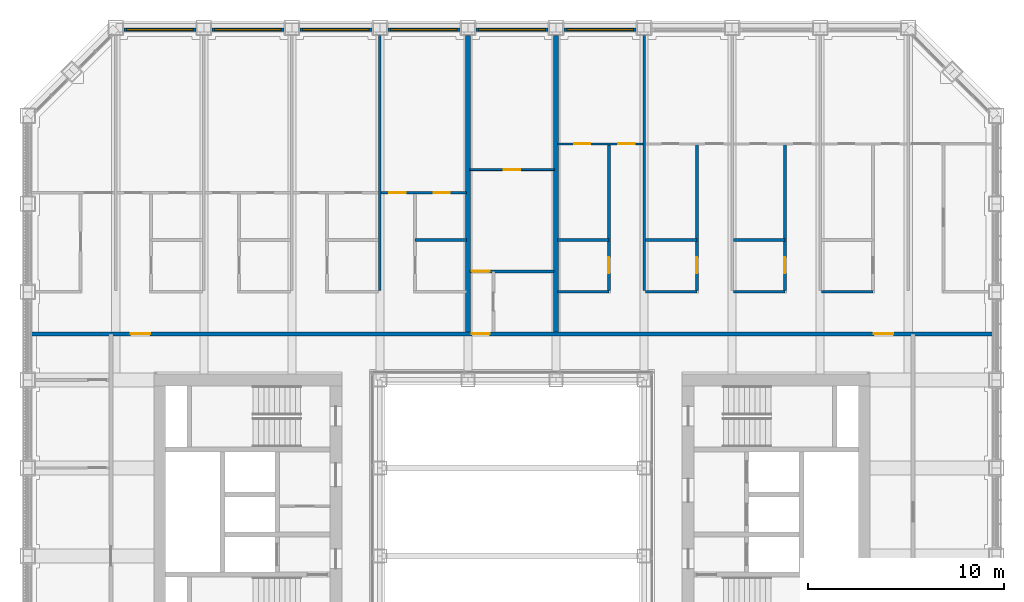
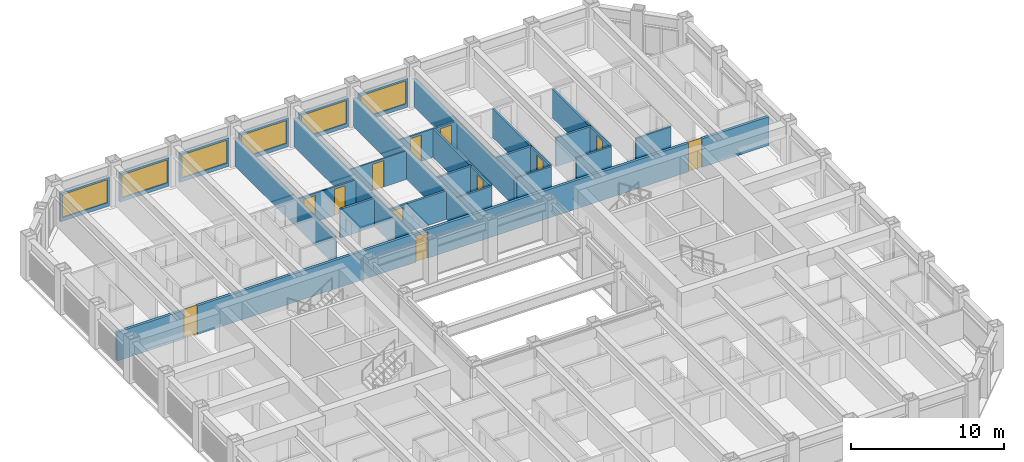
# One storey, part 14 of 21: 26 walls, 12 doors, 6 windows, 18 openings.
"""IFC4 building model written with IfcOpenShell, lengths in metres."""

from ifc_helpers import new_model, si_unit, direction, frame, frame_2d, origin, place, context, subcontext, project, spatial, rectangle, extrude, material, layer, layer_set, type_object, element, fill, save


model = new_model("IFC4")

# Units and contexts
model_context = context("Model", 3, precision=1e-05, world=origin(), true_north=direction((0.0, 1.0)))
body_context = subcontext(model_context, "Body", "Model", "MODEL_VIEW")
ifc_project = project(units=[si_unit("LENGTHUNIT", "METRE"), si_unit("AREAUNIT", "SQUARE_METRE"), si_unit("VOLUMEUNIT", "CUBIC_METRE"), si_unit("PLANEANGLEUNIT", "RADIAN"), si_unit("MASSUNIT", "GRAM", prefix="KILO")], contexts=[model_context])

# Site, building, storey
site_placement = place(None, origin())
site = spatial("IfcSite", under=ifc_project, at=site_placement, CompositionType="ELEMENT")
building_placement = place(site_placement, origin())
building = spatial("IfcBuilding", under=site, at=building_placement, Name="Msasa Ring Tower", CompositionType="ELEMENT")
storey_placement = place(building_placement, frame((0.0, 0.0, 103.5)))
storey = spatial("IfcBuildingStorey", under=building, at=storey_placement, Name="L27", CompositionType="ELEMENT", Elevation=103.5)

# Wall, opening, window
ifc_material_1 = material(Name="Terracotta rainscreen on blockwork", Category="masonry")
ifc_layer_1 = layer(ifc_material_1, 0.199951171875)
ifc_layer_set_1 = layer_set([ifc_layer_1], Name="FW1 TERRACOTTA-LINED INFILL BAY WALL 200")
wall_type_1 = type_object("IfcWallType", Name="FW1 TERRACOTTA-LINED INFILL BAY WALL 200", PredefinedType="SOLIDWALL", material=ifc_layer_set_1)
wall_1_placement = place(storey_placement, frame((-19.844970703125, 24.64990234375, 0.0), z_axis=(0.0, 0.0, 1.0), x_axis=(1.0, 0.0, 0.0)))
wall_1 = element("IfcWall", 1, at=wall_1_placement, inside=storey, type_object=wall_type_1, Name="Infill bay wall N L27 22", PredefinedType="SOLIDWALL", context=body_context, shape_type="SweptSolid", body=[
    extrude(rectangle(XDim=3.68994140625, YDim=0.199951171875, at=frame_2d((1.844970703125, 0.0))), origin(), (0.0, 0.0, 1.0), 2.279052734375),
])
opening_1_placement = place(wall_1_placement, frame((0.14501953125, 0.0, 0.300048828125)))
opening_1 = element("IfcOpeningElement", 2, at=opening_1_placement, cuts=wall_1, Name="Opening WN6", PredefinedType="OPENING", context=body_context, shape_type="SweptSolid", body=[
    extrude(rectangle(XDim=3.39990234375, YDim=1.8291015625, at=frame_2d((1.699951171875, 0.91455078125))), frame((0.0, 0.10986328125, 0.0), z_axis=(0.0, -1.0, 0.0), x_axis=(1.0, 0.0, 0.0)), (0.0, 0.0, 1.0), 0.219970703125),
])
ifc_material_2 = material(Name="Aluminium frame with clear glass", Category="aluminium")
window_type = type_object("IfcWindowType", Name="WN6 RESIDENCE WINDOW 3400x1829", PartitioningType="SINGLE_PANEL", PredefinedType="WINDOW", material=ifc_material_2)
window_1_placement = place(opening_1_placement, origin())
window_1 = element("IfcWindow", 3, at=window_1_placement, inside=storey, type_object=window_type, Name="Window N L27 22", OverallHeight=1.8291015625, OverallWidth=3.39990234375, PartitioningType="SINGLE_PANEL", PredefinedType="WINDOW", context=body_context, shape_type="SweptSolid", body=[
    extrude(rectangle(XDim=3.39990234375, YDim=1.8291015625, at=frame_2d((1.699951171875, 0.91455078125))), frame((0.0, 0.030029296875, 0.0), z_axis=(0.0, -1.0, 0.0), x_axis=(1.0, 0.0, 0.0)), (0.0, 0.0, 1.0), 0.06005859375),
])
fill(opening_1, window_1)

wall_2_placement = place(storey_placement, frame((-15.344970703125, 24.64990234375, 0.0), z_axis=(0.0, 0.0, 1.0), x_axis=(1.0, 0.0, 0.0)))
wall_2 = element("IfcWall", 4, at=wall_2_placement, inside=storey, type_object=wall_type_1, Name="Infill bay wall N L27 23", PredefinedType="SOLIDWALL", context=body_context, shape_type="SweptSolid", body=[
    extrude(rectangle(XDim=3.68994140625, YDim=0.199951171875, at=frame_2d((1.844970703125, 0.0))), origin(), (0.0, 0.0, 1.0), 2.279052734375),
])
opening_2_placement = place(wall_2_placement, frame((0.14501953125, 0.0, 0.300048828125)))
opening_2 = element("IfcOpeningElement", 5, at=opening_2_placement, cuts=wall_2, Name="Opening WN6", PredefinedType="OPENING", context=body_context, shape_type="SweptSolid", body=[
    extrude(rectangle(XDim=3.39990234375, YDim=1.8291015625, at=frame_2d((1.699951171875, 0.91455078125))), frame((0.0, 0.10986328125, 0.0), z_axis=(0.0, -1.0, 0.0), x_axis=(1.0, 0.0, 0.0)), (0.0, 0.0, 1.0), 0.219970703125),
])
window_2_placement = place(opening_2_placement, origin())
window_2 = element("IfcWindow", 6, at=window_2_placement, inside=storey, type_object=window_type, Name="Window N L27 23", OverallHeight=1.8291015625, OverallWidth=3.39990234375, PartitioningType="SINGLE_PANEL", PredefinedType="WINDOW", context=body_context, shape_type="SweptSolid", body=[
    extrude(rectangle(XDim=3.39990234375, YDim=1.8291015625, at=frame_2d((1.699951171875, 0.91455078125))), frame((0.0, 0.030029296875, 0.0), z_axis=(0.0, -1.0, 0.0), x_axis=(1.0, 0.0, 0.0)), (0.0, 0.0, 1.0), 0.06005859375),
])
fill(opening_2, window_2)

wall_3_placement = place(storey_placement, frame((-10.844970703125, 24.64990234375, 0.0), z_axis=(0.0, 0.0, 1.0), x_axis=(1.0, 0.0, 0.0)))
wall_3 = element("IfcWall", 7, at=wall_3_placement, inside=storey, type_object=wall_type_1, Name="Infill bay wall N L27 24", PredefinedType="SOLIDWALL", context=body_context, shape_type="SweptSolid", body=[
    extrude(rectangle(XDim=3.68994140625, YDim=0.199951171875, at=frame_2d((1.844970703125, 0.0))), origin(), (0.0, 0.0, 1.0), 2.279052734375),
])
opening_3_placement = place(wall_3_placement, frame((0.14501953125, 0.0, 0.300048828125)))
opening_3 = element("IfcOpeningElement", 8, at=opening_3_placement, cuts=wall_3, Name="Opening WN6", PredefinedType="OPENING", context=body_context, shape_type="SweptSolid", body=[
    extrude(rectangle(XDim=3.39990234375, YDim=1.8291015625, at=frame_2d((1.699951171875, 0.91455078125))), frame((0.0, 0.10986328125, 0.0), z_axis=(0.0, -1.0, 0.0), x_axis=(1.0, 0.0, 0.0)), (0.0, 0.0, 1.0), 0.219970703125),
])
window_3_placement = place(opening_3_placement, origin())
window_3 = element("IfcWindow", 9, at=window_3_placement, inside=storey, type_object=window_type, Name="Window N L27 24", OverallHeight=1.8291015625, OverallWidth=3.39990234375, PartitioningType="SINGLE_PANEL", PredefinedType="WINDOW", context=body_context, shape_type="SweptSolid", body=[
    extrude(rectangle(XDim=3.39990234375, YDim=1.8291015625, at=frame_2d((1.699951171875, 0.91455078125))), frame((0.0, 0.030029296875, 0.0), z_axis=(0.0, -1.0, 0.0), x_axis=(1.0, 0.0, 0.0)), (0.0, 0.0, 1.0), 0.06005859375),
])
fill(opening_3, window_3)

wall_4_placement = place(storey_placement, frame((-6.344970703125, 24.64990234375, 0.0), z_axis=(0.0, 0.0, 1.0), x_axis=(1.0, 0.0, 0.0)))
wall_4 = element("IfcWall", 10, at=wall_4_placement, inside=storey, type_object=wall_type_1, Name="Infill bay wall N L27 25", PredefinedType="SOLIDWALL", context=body_context, shape_type="SweptSolid", body=[
    extrude(rectangle(XDim=3.68994140625, YDim=0.199951171875, at=frame_2d((1.844970703125, 0.0))), origin(), (0.0, 0.0, 1.0), 2.279052734375),
])
opening_4_placement = place(wall_4_placement, frame((0.14501953125, 0.0, 0.300048828125)))
opening_4 = element("IfcOpeningElement", 11, at=opening_4_placement, cuts=wall_4, Name="Opening WN6", PredefinedType="OPENING", context=body_context, shape_type="SweptSolid", body=[
    extrude(rectangle(XDim=3.39990234375, YDim=1.8291015625, at=frame_2d((1.699951171875, 0.91455078125))), frame((0.0, 0.10986328125, 0.0), z_axis=(0.0, -1.0, 0.0), x_axis=(1.0, 0.0, 0.0)), (0.0, 0.0, 1.0), 0.219970703125),
])
window_4_placement = place(opening_4_placement, origin())
window_4 = element("IfcWindow", 12, at=window_4_placement, inside=storey, type_object=window_type, Name="Window N L27 25", OverallHeight=1.8291015625, OverallWidth=3.39990234375, PartitioningType="SINGLE_PANEL", PredefinedType="WINDOW", context=body_context, shape_type="SweptSolid", body=[
    extrude(rectangle(XDim=3.39990234375, YDim=1.8291015625, at=frame_2d((1.699951171875, 0.91455078125))), frame((0.0, 0.030029296875, 0.0), z_axis=(0.0, -1.0, 0.0), x_axis=(1.0, 0.0, 0.0)), (0.0, 0.0, 1.0), 0.06005859375),
])
fill(opening_4, window_4)

wall_5_placement = place(storey_placement, frame((-1.844970703125, 24.64990234375, 0.0), z_axis=(0.0, 0.0, 1.0), x_axis=(1.0, 0.0, 0.0)))
wall_5 = element("IfcWall", 13, at=wall_5_placement, inside=storey, type_object=wall_type_1, Name="Infill bay wall N L27 26", PredefinedType="SOLIDWALL", context=body_context, shape_type="SweptSolid", body=[
    extrude(rectangle(XDim=3.68994140625, YDim=0.199951171875, at=frame_2d((1.844970703125, 0.0))), origin(), (0.0, 0.0, 1.0), 2.279052734375),
])
opening_5_placement = place(wall_5_placement, frame((0.14501953125, 0.0, 0.300048828125)))
opening_5 = element("IfcOpeningElement", 14, at=opening_5_placement, cuts=wall_5, Name="Opening WN6", PredefinedType="OPENING", context=body_context, shape_type="SweptSolid", body=[
    extrude(rectangle(XDim=3.39990234375, YDim=1.8291015625, at=frame_2d((1.699951171875, 0.91455078125))), frame((0.0, 0.10986328125, 0.0), z_axis=(0.0, -1.0, 0.0), x_axis=(1.0, 0.0, 0.0)), (0.0, 0.0, 1.0), 0.219970703125),
])
window_5_placement = place(opening_5_placement, origin())
window_5 = element("IfcWindow", 15, at=window_5_placement, inside=storey, type_object=window_type, Name="Window N L27 26", OverallHeight=1.8291015625, OverallWidth=3.39990234375, PartitioningType="SINGLE_PANEL", PredefinedType="WINDOW", context=body_context, shape_type="SweptSolid", body=[
    extrude(rectangle(XDim=3.39990234375, YDim=1.8291015625, at=frame_2d((1.699951171875, 0.91455078125))), frame((0.0, 0.030029296875, 0.0), z_axis=(0.0, -1.0, 0.0), x_axis=(1.0, 0.0, 0.0)), (0.0, 0.0, 1.0), 0.06005859375),
])
fill(opening_5, window_5)

wall_6_placement = place(storey_placement, frame((2.655029296875, 24.64990234375, 0.0), z_axis=(0.0, 0.0, 1.0), x_axis=(1.0, 0.0, 0.0)))
wall_6 = element("IfcWall", 16, at=wall_6_placement, inside=storey, type_object=wall_type_1, Name="Infill bay wall N L27 27", PredefinedType="SOLIDWALL", context=body_context, shape_type="SweptSolid", body=[
    extrude(rectangle(XDim=3.68994140625, YDim=0.199951171875, at=frame_2d((1.844970703125, 0.0))), origin(), (0.0, 0.0, 1.0), 2.279052734375),
])
opening_6_placement = place(wall_6_placement, frame((0.14501953125, 0.0, 0.300048828125)))
opening_6 = element("IfcOpeningElement", 17, at=opening_6_placement, cuts=wall_6, Name="Opening WN6", PredefinedType="OPENING", context=body_context, shape_type="SweptSolid", body=[
    extrude(rectangle(XDim=3.39990234375, YDim=1.8291015625, at=frame_2d((1.699951171875, 0.91455078125))), frame((0.0, 0.10986328125, 0.0), z_axis=(0.0, -1.0, 0.0), x_axis=(1.0, 0.0, 0.0)), (0.0, 0.0, 1.0), 0.219970703125),
])
window_6_placement = place(opening_6_placement, origin())
window_6 = element("IfcWindow", 18, at=window_6_placement, inside=storey, type_object=window_type, Name="Window N L27 27", OverallHeight=1.8291015625, OverallWidth=3.39990234375, PartitioningType="SINGLE_PANEL", PredefinedType="WINDOW", context=body_context, shape_type="SweptSolid", body=[
    extrude(rectangle(XDim=3.39990234375, YDim=1.8291015625, at=frame_2d((1.699951171875, 0.91455078125))), frame((0.0, 0.030029296875, 0.0), z_axis=(0.0, -1.0, 0.0), x_axis=(1.0, 0.0, 0.0)), (0.0, 0.0, 1.0), 0.06005859375),
])
fill(opening_6, window_6)

# Wall, openings, doors
ifc_material_3 = material(Name="Concrete blockwork", Category="masonry")
ifc_layer_2 = layer(ifc_material_3, 0.199951171875)
ifc_layer_set_2 = layer_set([ifc_layer_2], Name="PT1 CORRIDOR WALL 200")
wall_type_2 = type_object("IfcWallType", Name="PT1 CORRIDOR WALL 200", PredefinedType="PARTITIONING", material=ifc_layer_set_2)
wall_7_placement = place(storey_placement, frame((-24.550048828125, 9.10009765625, 0.0), z_axis=(0.0, 0.0, 1.0), x_axis=(1.0, 0.0, 0.0)))
wall_7 = element("IfcWall", 19, at=wall_7_placement, inside=storey, type_object=wall_type_2, Name="Corridor wall L27-CORRN0", PredefinedType="PARTITIONING", context=body_context, shape_type="SweptSolid", body=[
    extrude(rectangle(XDim=49.10009765625, YDim=0.199951171875, at=frame_2d((24.550048828125, 0.0))), origin(), (0.0, 0.0, 1.0), 2.279052734375),
])
opening_7_placement = place(wall_7_placement, frame((5.050048828125, 0.0, 0.0)))
opening_7 = element("IfcOpeningElement", 20, at=opening_7_placement, cuts=wall_7, Name="Opening RH-032", PredefinedType="OPENING", context=body_context, shape_type="SweptSolid", body=[
    extrude(rectangle(XDim=1.0, YDim=2.300048828125, at=frame_2d((0.5, 1.14990234375))), frame((0.0, 0.10986328125, 0.0), z_axis=(0.0, -1.0, 0.0), x_axis=(1.0, 0.0, 0.0)), (0.0, 0.0, 1.0), 0.219970703125),
])
opening_8_placement = place(wall_7_placement, frame((22.5, 0.0, 0.0)))
opening_8 = element("IfcOpeningElement", 21, at=opening_8_placement, cuts=wall_7, Name="Opening RH-033", PredefinedType="OPENING", context=body_context, shape_type="SweptSolid", body=[
    extrude(rectangle(XDim=0.89990234375, YDim=2.10009765625, at=frame_2d((0.449951171875, 1.050048828125))), frame((0.0, 0.10986328125, 0.0), z_axis=(0.0, -1.0, 0.0), x_axis=(1.0, 0.0, 0.0)), (0.0, 0.0, 1.0), 0.219970703125),
])
opening_9_placement = place(wall_7_placement, frame((43.050048828125, 0.0, 0.0)))
opening_9 = element("IfcOpeningElement", 22, at=opening_9_placement, cuts=wall_7, Name="Opening RH-034", PredefinedType="OPENING", context=body_context, shape_type="SweptSolid", body=[
    extrude(rectangle(XDim=1.0, YDim=2.300048828125, at=frame_2d((0.5, 1.14990234375))), frame((0.0, 0.10986328125, 0.0), z_axis=(0.0, -1.0, 0.0), x_axis=(1.0, 0.0, 0.0)), (0.0, 0.0, 1.0), 0.219970703125),
])
ifc_material_4 = material(Name="Timber door leaf in a steel frame", Category="steel")
door_type_1 = type_object("IfcDoorType", Name="D16 UPPER RESIDENCE ENTRANCE DOOR 1000x2300", OperationType="SINGLE_SWING_LEFT", PredefinedType="DOOR", material=ifc_material_4)
door_1_placement = place(opening_7_placement, origin())
door_1 = element("IfcDoor", 23, at=door_1_placement, inside=storey, type_object=door_type_1, Name="Door L27-UN00", OperationType="SINGLE_SWING_LEFT", OverallHeight=2.300048828125, OverallWidth=1.0, PredefinedType="DOOR", context=body_context, shape_type="SweptSolid", body=[
    extrude(rectangle(XDim=1.0, YDim=2.300048828125, at=frame_2d((0.5, 1.14990234375))), frame((0.0, 0.02490234375, 0.0), z_axis=(0.0, -1.0, 0.0), x_axis=(1.0, 0.0, 0.0)), (0.0, 0.0, 1.0), 0.050048828125),
])
fill(opening_7, door_1)
door_2_placement = place(opening_9_placement, origin())
door_2 = element("IfcDoor", 24, at=door_2_placement, inside=storey, type_object=door_type_1, Name="Door L27-UN02", OperationType="SINGLE_SWING_RIGHT", OverallHeight=2.300048828125, OverallWidth=1.0, PredefinedType="DOOR", context=body_context, shape_type="SweptSolid", body=[
    extrude(rectangle(XDim=1.0, YDim=2.300048828125, at=frame_2d((0.5, 1.14990234375))), frame((0.0, 0.02490234375, 0.0), z_axis=(0.0, -1.0, 0.0), x_axis=(1.0, 0.0, 0.0)), (0.0, 0.0, 1.0), 0.050048828125),
])
fill(opening_9, door_2)
ifc_material_5 = material(Name="Timber door leaf in a steel frame", Category="steel")
door_type_2 = type_object("IfcDoorType", Name="D2 ENTRANCE DOOR 900x2100", OperationType="SINGLE_SWING_LEFT", PredefinedType="DOOR", material=ifc_material_5)
door_3_placement = place(opening_8_placement, origin())
door_3 = element("IfcDoor", 25, at=door_3_placement, inside=storey, type_object=door_type_2, Name="Door L27-UN01", OperationType="SINGLE_SWING_LEFT", OverallHeight=2.10009765625, OverallWidth=0.89990234375, PredefinedType="DOOR", context=body_context, shape_type="SweptSolid", body=[
    extrude(rectangle(XDim=0.89990234375, YDim=2.10009765625, at=frame_2d((0.449951171875, 1.050048828125))), frame((0.0, 0.02490234375, 0.0), z_axis=(0.0, -1.0, 0.0), x_axis=(1.0, 0.0, 0.0)), (0.0, 0.0, 1.0), 0.050048828125),
])
fill(opening_8, door_3)

# Wall, opening, door
ifc_material_6 = material(Name="Gypsum board on steel studs", Category="steel")
ifc_layer_3 = layer(ifc_material_6, 0.10009765625)
ifc_layer_set_3 = layer_set([ifc_layer_3], Name="PT2 STUD PARTITION 100")
wall_type_3 = type_object("IfcWallType", Name="PT2 STUD PARTITION 100", PredefinedType="PARTITIONING", material=ifc_layer_set_3)
wall_8_placement = place(storey_placement, frame((-2.14990234375, 17.5, 0.0), z_axis=(0.0, 0.0, 1.0), x_axis=(1.0, 0.0, 0.0)))
wall_8 = element("IfcWall", 26, at=wall_8_placement, inside=storey, type_object=wall_type_3, Name="Partition L27-UN01SY", PredefinedType="PARTITIONING", context=body_context, shape_type="SweptSolid", body=[
    extrude(rectangle(XDim=4.2998046875, YDim=0.10009765625, at=frame_2d((2.14990234375, 0.0))), origin(), (0.0, 0.0, 1.0), 2.279052734375),
])
opening_10_placement = place(wall_8_placement, frame((1.72509765625, 0.0, 0.0)))
opening_10 = element("IfcOpeningElement", 27, at=opening_10_placement, cuts=wall_8, Name="Opening RH-010", PredefinedType="OPENING", context=body_context, shape_type="SweptSolid", body=[
    extrude(rectangle(XDim=0.85009765625, YDim=2.10009765625, at=frame_2d((0.425048828125, 1.050048828125))), frame((0.0, 0.06005859375, 0.0), z_axis=(0.0, -1.0, 0.0), x_axis=(1.0, 0.0, 0.0)), (0.0, 0.0, 1.0), 0.1201171875),
])
ifc_material_7 = material(Name="Timber door leaf in a steel frame", Category="steel")
door_type_3 = type_object("IfcDoorType", Name="D14 BEDROOM DOOR 850x2100", OperationType="SINGLE_SWING_LEFT", PredefinedType="DOOR", material=ifc_material_7)
door_4_placement = place(opening_10_placement, origin())
door_4 = element("IfcDoor", 28, at=door_4_placement, inside=storey, type_object=door_type_3, Name="Door L27-UN01R", OperationType="SINGLE_SWING_LEFT", OverallHeight=2.10009765625, OverallWidth=0.85009765625, PredefinedType="DOOR", context=body_context, shape_type="SweptSolid", body=[
    extrude(rectangle(XDim=0.85009765625, YDim=2.10009765625, at=frame_2d((0.425048828125, 1.050048828125))), frame((0.0, 0.02490234375, 0.0), z_axis=(0.0, -1.0, 0.0), x_axis=(1.0, 0.0, 0.0)), (0.0, 0.0, 1.0), 0.050048828125),
])
fill(opening_10, door_4)

# Walls
ifc_material_8 = material(Name="Dense concrete blockwork, plastered both faces", Category="masonry")
ifc_layer_4 = layer(ifc_material_8, 0.25)
ifc_layer_set_4 = layer_set([ifc_layer_4], Name="PT3 APARTMENT SEPARATING WALL 250")
wall_type_4 = type_object("IfcWallType", Name="PT3 APARTMENT SEPARATING WALL 250", PredefinedType="PARTITIONING", material=ifc_layer_set_4)
for number, where, z_axis, x_axis, name in (
    (29, (-2.25, 9.199951171875, 0.0), (0.0, 0.0, 1.0), (0.0, 1.0, 0.0), "Party wall L27-PWN-2.25"),
    (30, (2.25, 9.199951171875, 0.0), (0.0, 0.0, 1.0), (0.0, 1.0, 0.0), "Party wall L27-PWN+2.25"),
):
    element("IfcWall", number, at=place(storey_placement, frame(where, z_axis=z_axis, x_axis=x_axis)), inside=storey, type_object=wall_type_4, Name=name, PredefinedType="PARTITIONING", context=body_context, shape_type="SweptSolid", body=[
        extrude(rectangle(XDim=15.150146484375, YDim=0.25, at=frame_2d((7.5751953125, 0.0))), origin(), (0.0, 0.0, 1.0), 2.279052734375),
    ])
ifc_material_9 = material(Name="Moisture-resistant board on steel studs with a concealed cistern and pipe void, tiled", Category="steel")
ifc_layer_5 = layer(ifc_material_9, 0.14990234375)
ifc_layer_set_5 = layer_set([ifc_layer_5], Name="PT4 BATHROOM WET WALL 150")
wall_type_5 = type_object("IfcWallType", Name="PT4 BATHROOM WET WALL 150", PredefinedType="PARTITIONING", material=ifc_layer_set_5)
wall_9_placement = place(storey_placement, frame((-4.949951171875, 13.91259765625, 0.0), z_axis=(0.0, 0.0, 1.0), x_axis=(1.0, 0.0, 0.0)))
element("IfcWall", 31, at=wall_9_placement, inside=storey, type_object=wall_type_5, Name="Partition L27-UN00SB4", PredefinedType="PARTITIONING", context=body_context, shape_type="SweptSolid", body=[
    extrude(rectangle(XDim=2.632568359375, YDim=0.14990234375, at=frame_2d((1.31640625, 0.0))), origin(), (0.0, 0.0, 1.0), 2.279052734375),
])

# Wall, opening, door
wall_10_placement = place(storey_placement, frame((-2.14990234375, 12.300048828125, 0.0), z_axis=(0.0, 0.0, 1.0), x_axis=(1.0, 0.0, 0.0)))
wall_10 = element("IfcWall", 32, at=wall_10_placement, inside=storey, type_object=wall_type_5, Name="Partition L27-UN01BY", PredefinedType="PARTITIONING", context=body_context, shape_type="SweptSolid", body=[
    extrude(rectangle(XDim=4.2998046875, YDim=0.14990234375, at=frame_2d((2.14990234375, 0.0))), origin(), (0.0, 0.0, 1.0), 2.279052734375),
])
opening_11_placement = place(wall_10_placement, frame((0.10009765625, 0.0, 0.0)))
opening_11 = element("IfcOpeningElement", 33, at=opening_11_placement, cuts=wall_10, Name="Opening RH-030", PredefinedType="OPENING", context=body_context, shape_type="SweptSolid", body=[
    extrude(rectangle(XDim=0.89990234375, YDim=2.10009765625, at=frame_2d((0.449951171875, 1.050048828125))), frame((0.0, 0.0849609375, 0.0), z_axis=(0.0, -1.0, 0.0), x_axis=(1.0, 0.0, 0.0)), (0.0, 0.0, 1.0), 0.169921875),
])
ifc_material_10 = material(Name="Timber door leaf in a steel frame", Category="steel")
door_type_4 = type_object("IfcDoorType", Name="D22 INTERNAL HALL DOOR 900x2100", OperationType="SINGLE_SWING_LEFT", PredefinedType="DOOR", material=ifc_material_10)
door_5_placement = place(opening_11_placement, origin())
door_5 = element("IfcDoor", 34, at=door_5_placement, inside=storey, type_object=door_type_4, Name="Door L27-UN01S", OperationType="SINGLE_SWING_LEFT", OverallHeight=2.10009765625, OverallWidth=0.89990234375, PredefinedType="DOOR", context=body_context, shape_type="SweptSolid", body=[
    extrude(rectangle(XDim=0.89990234375, YDim=2.10009765625, at=frame_2d((0.449951171875, 1.050048828125))), frame((0.0, 0.02490234375, 0.0), z_axis=(0.0, -1.0, 0.0), x_axis=(1.0, 0.0, 0.0)), (0.0, 0.0, 1.0), 0.050048828125),
])
fill(opening_11, door_5)

wall_11_placement = place(storey_placement, frame((13.949951171875, 11.3125, 0.0), z_axis=(0.0, 0.0, 1.0), x_axis=(0.0, 1.0, 0.0)))
wall_11 = element("IfcWall", 35, at=wall_11_placement, inside=storey, type_object=wall_type_5, Name="Partition L27-UN02SX2", PredefinedType="PARTITIONING", context=body_context, shape_type="SweptSolid", body=[
    extrude(rectangle(XDim=7.5, YDim=0.14990234375, at=frame_2d((3.75, 0.0))), origin(), (0.0, 0.0, 1.0), 2.279052734375),
])
opening_12_placement = place(wall_11_placement, frame((0.89990234375, 0.0, 0.0)))
opening_12 = element("IfcOpeningElement", 36, at=opening_12_placement, cuts=wall_11, Name="Opening RH-028", PredefinedType="OPENING", context=body_context, shape_type="SweptSolid", body=[
    extrude(rectangle(XDim=0.800048828125, YDim=2.10009765625, at=frame_2d((0.39990234375, 1.050048828125))), frame((0.0, 0.0849609375, 0.0), z_axis=(0.0, -1.0, 0.0), x_axis=(1.0, 0.0, 0.0)), (0.0, 0.0, 1.0), 0.169921875),
])
ifc_material_11 = material(Name="Timber door leaf in a steel frame", Category="steel")
door_type_5 = type_object("IfcDoorType", Name="D21 POCKET SLIDING BATHROOM DOOR 800x2100", OperationType="SINGLE_SWING_LEFT", PredefinedType="DOOR", material=ifc_material_11)
door_6_placement = place(opening_12_placement, origin())
door_6 = element("IfcDoor", 37, at=door_6_placement, inside=storey, type_object=door_type_5, Name="Door L27-UN02B2", OperationType="SINGLE_SWING_LEFT", OverallHeight=2.10009765625, OverallWidth=0.800048828125, PredefinedType="DOOR", context=body_context, shape_type="SweptSolid", body=[
    extrude(rectangle(XDim=0.800048828125, YDim=2.10009765625, at=frame_2d((0.39990234375, 1.050048828125))), frame((0.0, 0.02490234375, 0.0), z_axis=(0.0, -1.0, 0.0), x_axis=(1.0, 0.0, 0.0)), (0.0, 0.0, 1.0), 0.050048828125),
])
fill(opening_12, door_6)

# Wall
wall_12_placement = place(storey_placement, frame((11.3125, 13.91259765625, 0.0), z_axis=(0.0, 0.0, 1.0), x_axis=(1.0, 0.0, 0.0)))
element("IfcWall", 38, at=wall_12_placement, inside=storey, type_object=wall_type_5, Name="Partition L27-UN02SB2", PredefinedType="PARTITIONING", context=body_context, shape_type="SweptSolid", body=[
    extrude(rectangle(XDim=2.637451171875, YDim=0.14990234375, at=frame_2d((1.31884765625, 0.0))), origin(), (0.0, 0.0, 1.0), 2.279052734375),
])

# Wall, opening, door
wall_13_placement = place(storey_placement, frame((9.449951171875, 11.3125, 0.0), z_axis=(0.0, 0.0, 1.0), x_axis=(0.0, 1.0, 0.0)))
wall_13 = element("IfcWall", 39, at=wall_13_placement, inside=storey, type_object=wall_type_5, Name="Partition L27-UN02SX3", PredefinedType="PARTITIONING", context=body_context, shape_type="SweptSolid", body=[
    extrude(rectangle(XDim=7.5, YDim=0.14990234375, at=frame_2d((3.75, 0.0))), origin(), (0.0, 0.0, 1.0), 2.279052734375),
])
opening_13_placement = place(wall_13_placement, frame((0.89990234375, 0.0, 0.0)))
opening_13 = element("IfcOpeningElement", 40, at=opening_13_placement, cuts=wall_13, Name="Opening RH-027", PredefinedType="OPENING", context=body_context, shape_type="SweptSolid", body=[
    extrude(rectangle(XDim=0.800048828125, YDim=2.10009765625, at=frame_2d((0.39990234375, 1.050048828125))), frame((0.0, 0.0849609375, 0.0), z_axis=(0.0, -1.0, 0.0), x_axis=(1.0, 0.0, 0.0)), (0.0, 0.0, 1.0), 0.169921875),
])
door_7_placement = place(opening_13_placement, origin())
door_7 = element("IfcDoor", 41, at=door_7_placement, inside=storey, type_object=door_type_5, Name="Door L27-UN02B3", OperationType="SINGLE_SWING_LEFT", OverallHeight=2.10009765625, OverallWidth=0.800048828125, PredefinedType="DOOR", context=body_context, shape_type="SweptSolid", body=[
    extrude(rectangle(XDim=0.800048828125, YDim=2.10009765625, at=frame_2d((0.39990234375, 1.050048828125))), frame((0.0, 0.02490234375, 0.0), z_axis=(0.0, -1.0, 0.0), x_axis=(1.0, 0.0, 0.0)), (0.0, 0.0, 1.0), 0.050048828125),
])
fill(opening_13, door_7)

# Wall
wall_14_placement = place(storey_placement, frame((6.8125, 13.91259765625, 0.0), z_axis=(0.0, 0.0, 1.0), x_axis=(1.0, 0.0, 0.0)))
element("IfcWall", 42, at=wall_14_placement, inside=storey, type_object=wall_type_5, Name="Partition L27-UN02SB3", PredefinedType="PARTITIONING", context=body_context, shape_type="SweptSolid", body=[
    extrude(rectangle(XDim=2.637451171875, YDim=0.14990234375, at=frame_2d((1.31884765625, 0.0))), origin(), (0.0, 0.0, 1.0), 2.279052734375),
])

# Wall, opening, door
wall_15_placement = place(storey_placement, frame((4.949951171875, 11.3125, 0.0), z_axis=(0.0, 0.0, 1.0), x_axis=(0.0, 1.0, 0.0)))
wall_15 = element("IfcWall", 43, at=wall_15_placement, inside=storey, type_object=wall_type_5, Name="Partition L27-UN02SX4", PredefinedType="PARTITIONING", context=body_context, shape_type="SweptSolid", body=[
    extrude(rectangle(XDim=7.5, YDim=0.14990234375, at=frame_2d((3.75, 0.0))), origin(), (0.0, 0.0, 1.0), 2.279052734375),
])
opening_14_placement = place(wall_15_placement, frame((0.89990234375, 0.0, 0.0)))
opening_14 = element("IfcOpeningElement", 44, at=opening_14_placement, cuts=wall_15, Name="Opening RH-026", PredefinedType="OPENING", context=body_context, shape_type="SweptSolid", body=[
    extrude(rectangle(XDim=0.800048828125, YDim=2.10009765625, at=frame_2d((0.39990234375, 1.050048828125))), frame((0.0, 0.0849609375, 0.0), z_axis=(0.0, -1.0, 0.0), x_axis=(1.0, 0.0, 0.0)), (0.0, 0.0, 1.0), 0.169921875),
])
door_8_placement = place(opening_14_placement, origin())
door_8 = element("IfcDoor", 45, at=door_8_placement, inside=storey, type_object=door_type_5, Name="Door L27-UN02B4", OperationType="SINGLE_SWING_LEFT", OverallHeight=2.10009765625, OverallWidth=0.800048828125, PredefinedType="DOOR", context=body_context, shape_type="SweptSolid", body=[
    extrude(rectangle(XDim=0.800048828125, YDim=2.10009765625, at=frame_2d((0.39990234375, 1.050048828125))), frame((0.0, 0.02490234375, 0.0), z_axis=(0.0, -1.0, 0.0), x_axis=(1.0, 0.0, 0.0)), (0.0, 0.0, 1.0), 0.050048828125),
])
fill(opening_14, door_8)

# Walls
wall_16_placement = place(storey_placement, frame((2.3173828125, 13.91259765625, 0.0), z_axis=(0.0, 0.0, 1.0), x_axis=(1.0, 0.0, 0.0)))
element("IfcWall", 46, at=wall_16_placement, inside=storey, type_object=wall_type_5, Name="Partition L27-UN02SB4", PredefinedType="PARTITIONING", context=body_context, shape_type="SweptSolid", body=[
    extrude(rectangle(XDim=2.632568359375, YDim=0.14990234375, at=frame_2d((1.31640625, 0.0))), origin(), (0.0, 0.0, 1.0), 2.279052734375),
])
ifc_material_12 = material(Name="Two layers of acoustic board each face on steel studs, mineral wool", Category="steel")
ifc_layer_6 = layer(ifc_material_12, 0.125)
ifc_layer_set_6 = layer_set([ifc_layer_6], Name="PT6 ACOUSTIC DOUBLE-BOARD PARTITION 125")
wall_type_6 = type_object("IfcWallType", Name="PT6 ACOUSTIC DOUBLE-BOARD PARTITION 125", PredefinedType="PARTITIONING", material=ifc_layer_set_6)
wall_17_placement = place(storey_placement, frame((-6.75, 11.3125, 0.0), z_axis=(0.0, 0.0, 1.0), x_axis=(0.0, 1.0, 0.0)))
element("IfcWall", 47, at=wall_17_placement, inside=storey, type_object=wall_type_6, Name="Partition L27-UN00P4", PredefinedType="PARTITIONING", context=body_context, shape_type="SweptSolid", body=[
    extrude(rectangle(XDim=13.03759765625, YDim=0.125, at=frame_2d((6.518798828125, 0.0))), origin(), (0.0, 0.0, 1.0), 2.279052734375),
])

# Wall, openings, doors
wall_18_placement = place(storey_placement, frame((-6.6875, 16.3125, 0.0), z_axis=(0.0, 0.0, 1.0), x_axis=(1.0, 0.0, 0.0)))
wall_18 = element("IfcWall", 48, at=wall_18_placement, inside=storey, type_object=wall_type_6, Name="Partition L27-UN00SY4", PredefinedType="PARTITIONING", context=body_context, shape_type="SweptSolid", body=[
    extrude(rectangle(XDim=4.3701171875, YDim=0.125, at=frame_2d((2.18505859375, 0.0))), origin(), (0.0, 0.0, 1.0), 2.279052734375),
])
opening_15_placement = place(wall_18_placement, frame((0.41259765625, 0.0, 0.0)))
opening_15 = element("IfcOpeningElement", 49, at=opening_15_placement, cuts=wall_18, Name="Opening RH-018", PredefinedType="OPENING", context=body_context, shape_type="SweptSolid", body=[
    extrude(rectangle(XDim=0.85009765625, YDim=2.10009765625, at=frame_2d((0.425048828125, 1.050048828125))), frame((0.0, 0.072509765625, 0.0), z_axis=(0.0, -1.0, 0.0), x_axis=(1.0, 0.0, 0.0)), (0.0, 0.0, 1.0), 0.14501953125),
])
opening_16_placement = place(wall_18_placement, frame((2.693603515625, 0.0, 0.0)))
opening_16 = element("IfcOpeningElement", 50, at=opening_16_placement, cuts=wall_18, Name="Opening RH-019", PredefinedType="OPENING", context=body_context, shape_type="SweptSolid", body=[
    extrude(rectangle(XDim=0.800048828125, YDim=2.10009765625, at=frame_2d((0.39990234375, 1.050048828125))), frame((0.0, 0.072509765625, 0.0), z_axis=(0.0, -1.0, 0.0), x_axis=(1.0, 0.0, 0.0)), (0.0, 0.0, 1.0), 0.14501953125),
])
door_9_placement = place(opening_15_placement, origin())
door_9 = element("IfcDoor", 51, at=door_9_placement, inside=storey, type_object=door_type_3, Name="Door L27-UN00R4", OperationType="SINGLE_SWING_LEFT", OverallHeight=2.10009765625, OverallWidth=0.85009765625, PredefinedType="DOOR", context=body_context, shape_type="SweptSolid", body=[
    extrude(rectangle(XDim=0.85009765625, YDim=2.10009765625, at=frame_2d((0.425048828125, 1.050048828125))), frame((0.0, 0.02490234375, 0.0), z_axis=(0.0, -1.0, 0.0), x_axis=(1.0, 0.0, 0.0)), (0.0, 0.0, 1.0), 0.050048828125),
])
fill(opening_15, door_9)
ifc_material_13 = material(Name="Timber door leaf in a steel frame", Category="steel")
door_type_6 = type_object("IfcDoorType", Name="D60 DRESSING ROOM DOOR 800x2100", OperationType="SINGLE_SWING_LEFT", PredefinedType="DOOR", material=ifc_material_13)
door_10_placement = place(opening_16_placement, origin())
door_10 = element("IfcDoor", 52, at=door_10_placement, inside=storey, type_object=door_type_6, Name="Door L27-UN00W4", OperationType="SINGLE_SWING_RIGHT", OverallHeight=2.10009765625, OverallWidth=0.800048828125, PredefinedType="DOOR", context=body_context, shape_type="SweptSolid", body=[
    extrude(rectangle(XDim=0.800048828125, YDim=2.10009765625, at=frame_2d((0.39990234375, 1.050048828125))), frame((0.0, 0.02490234375, 0.0), z_axis=(0.0, -1.0, 0.0), x_axis=(1.0, 0.0, 0.0)), (0.0, 0.0, 1.0), 0.050048828125),
])
fill(opening_16, door_10)

# Walls
for number, where, z_axis, x_axis, name in (
    (53, (15.8173828125, 11.25, 0.0), (0.0, 0.0, 1.0), (1.0, 0.0, 0.0), "Partition L27-UN02HY1"),
    (54, (11.3173828125, 11.25, 0.0), (0.0, 0.0, 1.0), (1.0, 0.0, 0.0), "Partition L27-UN02HY2"),
    (55, (6.8173828125, 11.25, 0.0), (0.0, 0.0, 1.0), (1.0, 0.0, 0.0), "Partition L27-UN02HY3"),
):
    element("IfcWall", number, at=place(storey_placement, frame(where, z_axis=z_axis, x_axis=x_axis)), inside=storey, type_object=wall_type_6, Name=name, PredefinedType="PARTITIONING", context=body_context, shape_type="SweptSolid", body=[
        extrude(rectangle(XDim=2.632568359375, YDim=0.125, at=frame_2d((1.31640625, 0.0))), origin(), (0.0, 0.0, 1.0), 2.279052734375),
    ])
wall_19_placement = place(storey_placement, frame((6.75, 11.3125, 0.0), z_axis=(0.0, 0.0, 1.0), x_axis=(0.0, 1.0, 0.0)))
element("IfcWall", 56, at=wall_19_placement, inside=storey, type_object=wall_type_6, Name="Partition L27-UN02P4", PredefinedType="PARTITIONING", context=body_context, shape_type="SweptSolid", body=[
    extrude(rectangle(XDim=13.03759765625, YDim=0.125, at=frame_2d((6.518798828125, 0.0))), origin(), (0.0, 0.0, 1.0), 2.279052734375),
])
wall_20_placement = place(storey_placement, frame((2.3173828125, 11.25, 0.0), z_axis=(0.0, 0.0, 1.0), x_axis=(1.0, 0.0, 0.0)))
element("IfcWall", 57, at=wall_20_placement, inside=storey, type_object=wall_type_6, Name="Partition L27-UN02HY4", PredefinedType="PARTITIONING", context=body_context, shape_type="SweptSolid", body=[
    extrude(rectangle(XDim=2.632568359375, YDim=0.125, at=frame_2d((1.31640625, 0.0))), origin(), (0.0, 0.0, 1.0), 2.279052734375),
])

# Wall, openings, doors
wall_21_placement = place(storey_placement, frame((2.3173828125, 18.8125, 0.0), z_axis=(0.0, 0.0, 1.0), x_axis=(1.0, 0.0, 0.0)))
wall_21 = element("IfcWall", 58, at=wall_21_placement, inside=storey, type_object=wall_type_6, Name="Partition L27-UN02SY4", PredefinedType="PARTITIONING", context=body_context, shape_type="SweptSolid", body=[
    extrude(rectangle(XDim=4.3701171875, YDim=0.125, at=frame_2d((2.18505859375, 0.0))), origin(), (0.0, 0.0, 1.0), 2.279052734375),
])
opening_17_placement = place(wall_21_placement, frame((3.107421875, 0.0, 0.0)))
opening_17 = element("IfcOpeningElement", 59, at=opening_17_placement, cuts=wall_21, Name="Opening RH-002", PredefinedType="OPENING", context=body_context, shape_type="SweptSolid", body=[
    extrude(rectangle(XDim=0.85009765625, YDim=2.10009765625, at=frame_2d((0.425048828125, 1.050048828125))), frame((0.0, 0.072509765625, 0.0), z_axis=(0.0, -1.0, 0.0), x_axis=(1.0, 0.0, 0.0)), (0.0, 0.0, 1.0), 0.14501953125),
])
opening_18_placement = place(wall_21_placement, frame((0.876220703125, 0.0, 0.0)))
opening_18 = element("IfcOpeningElement", 60, at=opening_18_placement, cuts=wall_21, Name="Opening RH-001", PredefinedType="OPENING", context=body_context, shape_type="SweptSolid", body=[
    extrude(rectangle(XDim=0.800048828125, YDim=2.10009765625, at=frame_2d((0.39990234375, 1.050048828125))), frame((0.0, 0.072509765625, 0.0), z_axis=(0.0, -1.0, 0.0), x_axis=(1.0, 0.0, 0.0)), (0.0, 0.0, 1.0), 0.14501953125),
])
door_11_placement = place(opening_17_placement, origin())
door_11 = element("IfcDoor", 61, at=door_11_placement, inside=storey, type_object=door_type_3, Name="Door L27-UN02R4", OperationType="SINGLE_SWING_RIGHT", OverallHeight=2.10009765625, OverallWidth=0.85009765625, PredefinedType="DOOR", context=body_context, shape_type="SweptSolid", body=[
    extrude(rectangle(XDim=0.85009765625, YDim=2.10009765625, at=frame_2d((0.425048828125, 1.050048828125))), frame((0.0, 0.02490234375, 0.0), z_axis=(0.0, -1.0, 0.0), x_axis=(1.0, 0.0, 0.0)), (0.0, 0.0, 1.0), 0.050048828125),
])
fill(opening_17, door_11)
door_12_placement = place(opening_18_placement, origin())
door_12 = element("IfcDoor", 62, at=door_12_placement, inside=storey, type_object=door_type_6, Name="Door L27-UN02W4", OperationType="SINGLE_SWING_LEFT", OverallHeight=2.10009765625, OverallWidth=0.800048828125, PredefinedType="DOOR", context=body_context, shape_type="SweptSolid", body=[
    extrude(rectangle(XDim=0.800048828125, YDim=2.10009765625, at=frame_2d((0.39990234375, 1.050048828125))), frame((0.0, 0.02490234375, 0.0), z_axis=(0.0, -1.0, 0.0), x_axis=(1.0, 0.0, 0.0)), (0.0, 0.0, 1.0), 0.050048828125),
])
fill(opening_18, door_12)

save(model, "model.ifc")
